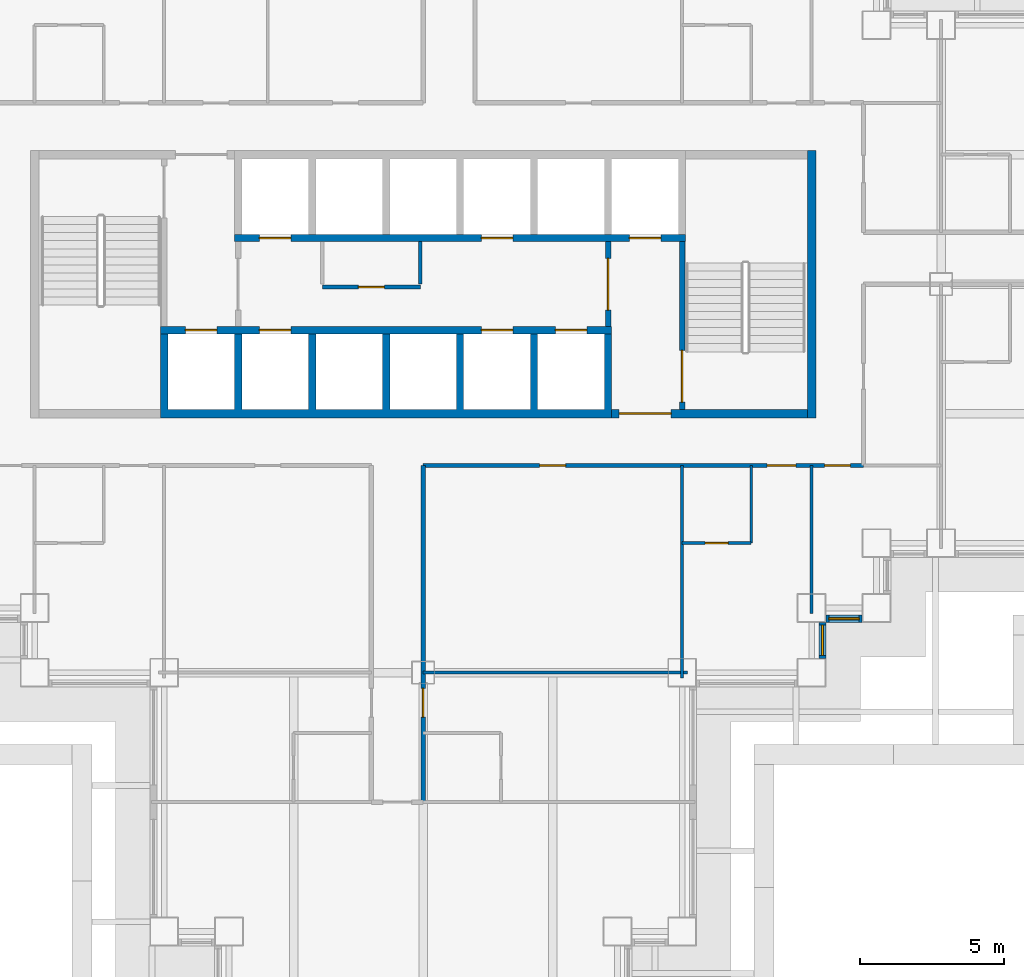
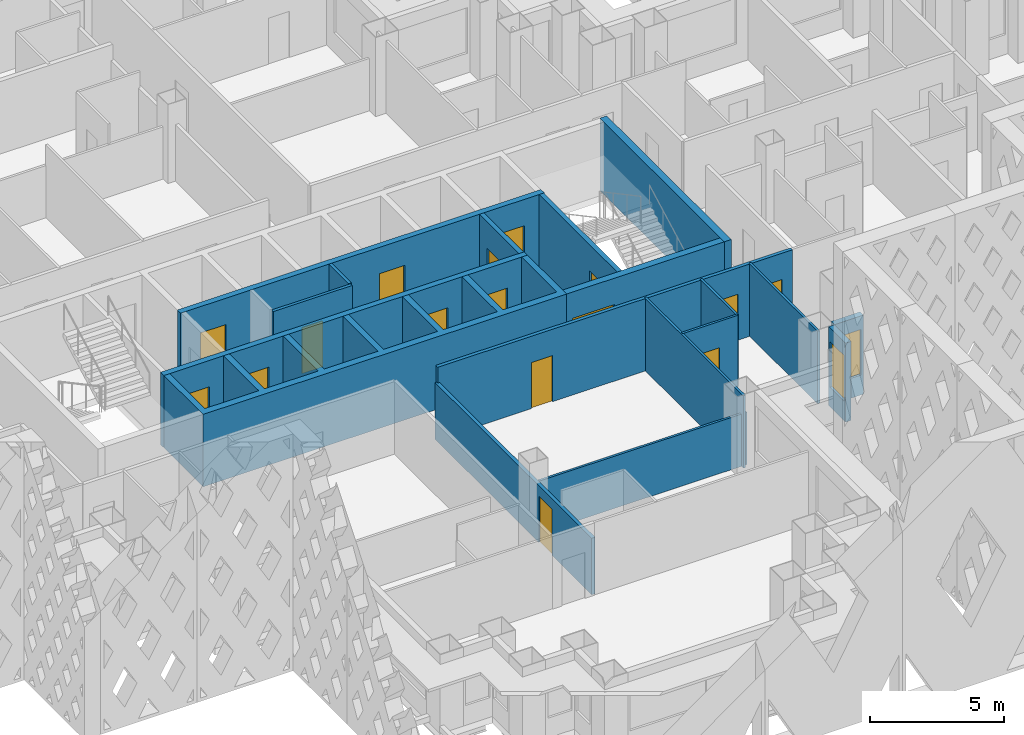
# One storey, part 5 of 19: 18 walls, 16 doors, 2 windows, 18 openings.
"""IFC4 building model written with IfcOpenShell, lengths in metres."""

from ifc_helpers import new_model, si_unit, direction, frame, frame_2d, origin, place, context, subcontext, project, spatial, polyline, rectangle, outline, extrude, material, layer, layer_set, type_object, element, fill, save


model = new_model("IFC4")

# Units and contexts
model_context = context("Model", 3, precision=1e-05, world=origin(), true_north=direction((0.0, 1.0)))
body_context = subcontext(model_context, "Body", "Model", "MODEL_VIEW")
ifc_project = project(units=[si_unit("LENGTHUNIT", "METRE"), si_unit("AREAUNIT", "SQUARE_METRE"), si_unit("VOLUMEUNIT", "CUBIC_METRE"), si_unit("PLANEANGLEUNIT", "RADIAN"), si_unit("MASSUNIT", "GRAM", prefix="KILO")], contexts=[model_context])

# Site, building, storey
site_placement = place(None, origin())
site = spatial("IfcSite", under=ifc_project, at=site_placement, CompositionType="ELEMENT")
building_placement = place(site_placement, origin())
building = spatial("IfcBuilding", under=site, at=building_placement, Name="Caravel Reach Hotel and Residences", CompositionType="ELEMENT")
storey_placement = place(building_placement, frame((0.0, 0.0, 74.39990234375)))
storey = spatial("IfcBuildingStorey", under=building, at=storey_placement, Name="L17", CompositionType="ELEMENT", Elevation=74.39990234375)

# Wall, opening, door
ifc_material_1 = material(Name="Gypsum board on steel stud", Category="steel")
ifc_layer_1 = layer(ifc_material_1, 0.10009765625)
ifc_layer_set_1 = layer_set([ifc_layer_1], Name="Bathroom pod wall 100 mm")
wall_type_1 = type_object("IfcWallType", Name="Bathroom pod wall 100 mm", PredefinedType="PARTITIONING", material=ifc_layer_set_1)
wall_1_placement = place(storey_placement, frame((40.5, 18.0, 0.0), z_axis=(0.0, 0.0, 1.0), x_axis=(1.0, 0.0, 0.0)))
wall_1 = element("IfcWall", 1, at=wall_1_placement, inside=storey, type_object=wall_type_1, Name="L17 wall w085", PredefinedType="PARTITIONING", context=body_context, shape_type="SweptSolid", body=[
    extrude(rectangle(XDim=2.39990234375, YDim=0.10009765625, at=frame_2d((1.199951171875, 0.0))), origin(), (0.0, 0.0, 1.0), 3.300048828125),
])
opening_1_placement = place(wall_1_placement, frame((0.800048828125, 0.0, 0.0)))
opening_1 = element("IfcOpeningElement", 2, at=opening_1_placement, cuts=wall_1, Name="Opening D17-055", PredefinedType="OPENING", context=body_context, shape_type="SweptSolid", body=[
    extrude(rectangle(XDim=0.800048828125, YDim=2.10009765625, at=frame_2d((0.39990234375, 1.050048828125))), frame((0.0, 0.06005859375, 0.0), z_axis=(0.0, -1.0, 0.0), x_axis=(1.0, 0.0, 0.0)), (0.0, 0.0, 1.0), 0.1201171875),
])
ifc_material_2 = material(Name="Timber and steel door leaf", Category="steel")
door_type_1 = type_object("IfcDoorType", Name="Bathroom door 800 x 2100", OperationType="SINGLE_SWING_LEFT", PredefinedType="DOOR", material=ifc_material_2)
door_1_placement = place(opening_1_placement, origin())
door_1 = element("IfcDoor", 3, at=door_1_placement, inside=storey, type_object=door_type_1, Name="door D17-055", OperationType="SINGLE_SWING_LEFT", OverallHeight=2.10009765625, OverallWidth=0.800048828125, PredefinedType="DOOR", context=body_context, shape_type="SweptSolid", body=[
    extrude(rectangle(XDim=0.800048828125, YDim=2.10009765625, at=frame_2d((0.39990234375, 1.050048828125))), frame((0.0, 0.02490234375, 0.0), z_axis=(0.0, -1.0, 0.0), x_axis=(1.0, 0.0, 0.0)), (0.0, 0.0, 1.0), 0.050048828125),
])
fill(opening_1, door_1)

# Wall
wall_2_placement = place(storey_placement, frame((42.89990234375, 18.0, 0.0), z_axis=(0.0, 0.0, 1.0), x_axis=(0.0, 1.0, 0.0)))
element("IfcWall", 4, at=wall_2_placement, inside=storey, type_object=wall_type_1, Name="L17 wall w110", PredefinedType="PARTITIONING", context=body_context, shape_type="SweptSolid", body=[
    extrude(rectangle(XDim=2.699951171875, YDim=0.10009765625, at=frame_2d((1.35009765625, 0.0))), origin(), (0.0, 0.0, 1.0), 3.300048828125),
])

# Wall, opening, door
ifc_material_3 = material(Name="Concrete C60", Category="concrete")
ifc_layer_2 = layer(ifc_material_3, 0.300048828125)
ifc_layer_set_2 = layer_set([ifc_layer_2], Name="Core wall 300 mm EI 120")
wall_type_2 = type_object("IfcWallType", Name="Core wall 300 mm EI 120", PredefinedType="SHEAR", material=ifc_layer_set_2)
wall_3_placement = place(storey_placement, frame((38.053466796875, 22.5, 0.0), z_axis=(0.0, 0.0, 1.0), x_axis=(1.0, 0.0, 0.0)))
wall_3 = element("IfcWall", 5, at=wall_3_placement, inside=storey, type_object=wall_type_2, Name="L17 core wall S2", PredefinedType="SHEAR", context=body_context, shape_type="SweptSolid", body=[
    extrude(rectangle(XDim=6.796630859375, YDim=0.300048828125, at=frame_2d((3.3984375, 0.0))), origin(), (0.0, 0.0, 1.0), 3.300048828125),
])
opening_2_placement = place(wall_3_placement, frame((0.2607421875, 0.0, 0.0)))
opening_2 = element("IfcOpeningElement", 6, at=opening_2_placement, cuts=wall_3, Name="Opening D17-014", PredefinedType="OPENING", context=body_context, shape_type="SweptSolid", body=[
    extrude(rectangle(XDim=1.800048828125, YDim=2.10009765625, at=frame_2d((0.89990234375, 1.050048828125))), frame((0.0, 0.159912109375, 0.0), z_axis=(0.0, -1.0, 0.0), x_axis=(1.0, 0.0, 0.0)), (0.0, 0.0, 1.0), 0.320068359375),
])
ifc_material_4 = material(Name="Steel fire door leaf", Category="steel")
door_type_2 = type_object("IfcDoorType", Name="Fire lobby door pair 1800 x 2100 EI 90", OperationType="DOUBLE_DOOR_SINGLE_SWING", PredefinedType="DOOR", material=ifc_material_4)
door_2_placement = place(opening_2_placement, origin())
door_2 = element("IfcDoor", 7, at=door_2_placement, inside=storey, type_object=door_type_2, Name="lobby S door pair to corridor", OperationType="DOUBLE_DOOR_SINGLE_SWING", OverallHeight=2.10009765625, OverallWidth=1.800048828125, PredefinedType="DOOR", context=body_context, shape_type="SweptSolid", body=[
    extrude(rectangle(XDim=1.800048828125, YDim=2.10009765625, at=frame_2d((0.89990234375, 1.050048828125))), frame((0.0, 0.02490234375, 0.0), z_axis=(0.0, -1.0, 0.0), x_axis=(1.0, 0.0, 0.0)), (0.0, 0.0, 1.0), 0.050048828125),
])
fill(opening_2, door_2)

# Wall
wall_4_placement = place(storey_placement, frame((45.0, 22.35009765625, 0.0), z_axis=(0.0, 0.0, 1.0), x_axis=(0.0, 1.0, 0.0)))
element("IfcWall", 8, at=wall_4_placement, inside=storey, type_object=wall_type_2, Name="L17 core wall E", PredefinedType="SHEAR", context=body_context, shape_type="SweptSolid", body=[
    extrude(rectangle(XDim=9.2998046875, YDim=0.300048828125, at=frame_2d((4.64990234375, 0.0))), origin(), (0.0, 0.0, 1.0), 3.300048828125),
])

# Wall, openings, doors
ifc_material_5 = material(Name="Gypsum board on steel stud, fire-rated", Category="steel")
ifc_layer_3 = layer(ifc_material_5, 0.14990234375)
ifc_layer_set_3 = layer_set([ifc_layer_3], Name="Corridor wall 150 mm EI 60")
wall_type_3 = type_object("IfcWallType", Name="Corridor wall 150 mm EI 60", PredefinedType="PARTITIONING", material=ifc_layer_set_3)
wall_5_placement = place(storey_placement, frame((31.5, 20.699951171875, 0.0), z_axis=(0.0, 0.0, 1.0), x_axis=(1.0, 0.0, 0.0)))
wall_5 = element("IfcWall", 9, at=wall_5_placement, inside=storey, type_object=wall_type_3, Name="L17 wall w004", PredefinedType="PARTITIONING", context=body_context, shape_type="SweptSolid", body=[
    extrude(rectangle(XDim=15.300048828125, YDim=0.14990234375, at=frame_2d((7.64990234375, 0.0))), origin(), (0.0, 0.0, 1.0), 3.300048828125),
])
opening_3_placement = place(wall_5_placement, frame((11.949951171875, 0.0, 0.0)))
opening_3 = element("IfcOpeningElement", 10, at=opening_3_placement, cuts=wall_5, Name="Opening D17-054", PredefinedType="OPENING", context=body_context, shape_type="SweptSolid", body=[
    extrude(rectangle(XDim=1.0, YDim=2.10009765625, at=frame_2d((0.5, 1.050048828125))), frame((0.0, 0.0849609375, 0.0), z_axis=(0.0, -1.0, 0.0), x_axis=(1.0, 0.0, 0.0)), (0.0, 0.0, 1.0), 0.169921875),
])
opening_4_placement = place(wall_5_placement, frame((13.949951171875, 0.0, 0.0)))
opening_4 = element("IfcOpeningElement", 11, at=opening_4_placement, cuts=wall_5, Name="Opening D17-056", PredefinedType="OPENING", context=body_context, shape_type="SweptSolid", body=[
    extrude(rectangle(XDim=0.89990234375, YDim=2.10009765625, at=frame_2d((0.449951171875, 1.050048828125))), frame((0.0, 0.0849609375, 0.0), z_axis=(0.0, -1.0, 0.0), x_axis=(1.0, 0.0, 0.0)), (0.0, 0.0, 1.0), 0.169921875),
])
opening_5_placement = place(wall_5_placement, frame((4.050048828125, 0.0, 0.0)))
opening_5 = element("IfcOpeningElement", 12, at=opening_5_placement, cuts=wall_5, Name="Opening D17-061", PredefinedType="OPENING", context=body_context, shape_type="SweptSolid", body=[
    extrude(rectangle(XDim=0.89990234375, YDim=2.10009765625, at=frame_2d((0.449951171875, 1.050048828125))), frame((0.0, 0.0849609375, 0.0), z_axis=(0.0, -1.0, 0.0), x_axis=(1.0, 0.0, 0.0)), (0.0, 0.0, 1.0), 0.169921875),
])
ifc_material_6 = material(Name="Timber and steel door leaf", Category="steel")
door_type_3 = type_object("IfcDoorType", Name="Door 900 x 2100 timber", OperationType="SINGLE_SWING_LEFT", PredefinedType="DOOR", material=ifc_material_6)
door_3_placement = place(opening_4_placement, origin())
door_3 = element("IfcDoor", 13, at=door_3_placement, inside=storey, type_object=door_type_3, Name="door D17-056", OperationType="SINGLE_SWING_RIGHT", OverallHeight=2.10009765625, OverallWidth=0.89990234375, PredefinedType="DOOR", context=body_context, shape_type="SweptSolid", body=[
    extrude(rectangle(XDim=0.89990234375, YDim=2.10009765625, at=frame_2d((0.449951171875, 1.050048828125))), frame((0.0, 0.02490234375, 0.0), z_axis=(0.0, -1.0, 0.0), x_axis=(1.0, 0.0, 0.0)), (0.0, 0.0, 1.0), 0.050048828125),
])
fill(opening_4, door_3)
door_4_placement = place(opening_5_placement, origin())
door_4 = element("IfcDoor", 14, at=door_4_placement, inside=storey, type_object=door_type_3, Name="door D17-061", OperationType="SINGLE_SWING_RIGHT", OverallHeight=2.10009765625, OverallWidth=0.89990234375, PredefinedType="DOOR", context=body_context, shape_type="SweptSolid", body=[
    extrude(rectangle(XDim=0.89990234375, YDim=2.10009765625, at=frame_2d((0.449951171875, 1.050048828125))), frame((0.0, 0.02490234375, 0.0), z_axis=(0.0, -1.0, 0.0), x_axis=(1.0, 0.0, 0.0)), (0.0, 0.0, 1.0), 0.050048828125),
])
fill(opening_5, door_4)
ifc_material_7 = material(Name="Steel fire door leaf", Category="steel")
door_type_4 = type_object("IfcDoorType", Name="Guest room door 1000 x 2100 EI 30", OperationType="SINGLE_SWING_LEFT", PredefinedType="DOOR", material=ifc_material_7)
door_5_placement = place(opening_3_placement, origin())
door_5 = element("IfcDoor", 15, at=door_5_placement, inside=storey, type_object=door_type_4, Name="door D17-054", OperationType="SINGLE_SWING_RIGHT", OverallHeight=2.10009765625, OverallWidth=1.0, PredefinedType="DOOR", context=body_context, shape_type="SweptSolid", body=[
    extrude(rectangle(XDim=1.0, YDim=2.10009765625, at=frame_2d((0.5, 1.050048828125))), frame((0.0, 0.02490234375, 0.0), z_axis=(0.0, -1.0, 0.0), x_axis=(1.0, 0.0, 0.0)), (0.0, 0.0, 1.0), 0.050048828125),
])
fill(opening_3, door_5)

# Wall, opening, door
wall_6_placement = place(storey_placement, frame((31.5, 9.0, 0.0), z_axis=(0.0, 0.0, 1.0), x_axis=(0.0, 1.0, 0.0)))
wall_6 = element("IfcWall", 16, at=wall_6_placement, inside=storey, type_object=wall_type_3, Name="L17 wall w033", PredefinedType="PARTITIONING", context=body_context, shape_type="SweptSolid", body=[
    extrude(rectangle(XDim=11.699951171875, YDim=0.14990234375, at=frame_2d((5.85009765625, 0.0))), origin(), (0.0, 0.0, 1.0), 2.580078125),
])
opening_6_placement = place(wall_6_placement, frame((2.949951171875, 0.0, 0.0)))
opening_6 = element("IfcOpeningElement", 17, at=opening_6_placement, cuts=wall_6, Name="Opening D17-039", PredefinedType="OPENING", context=body_context, shape_type="SweptSolid", body=[
    extrude(rectangle(XDim=1.0, YDim=2.10009765625, at=frame_2d((0.5, 1.050048828125))), frame((0.0, 0.0849609375, 0.0), z_axis=(0.0, -1.0, 0.0), x_axis=(1.0, 0.0, 0.0)), (0.0, 0.0, 1.0), 0.169921875),
])
door_6_placement = place(opening_6_placement, origin())
door_6 = element("IfcDoor", 18, at=door_6_placement, inside=storey, type_object=door_type_4, Name="door D17-039", OperationType="SINGLE_SWING_RIGHT", OverallHeight=2.10009765625, OverallWidth=1.0, PredefinedType="DOOR", context=body_context, shape_type="SweptSolid", body=[
    extrude(rectangle(XDim=1.0, YDim=2.10009765625, at=frame_2d((0.5, 1.050048828125))), frame((0.0, 0.02490234375, 0.0), z_axis=(0.0, -1.0, 0.0), x_axis=(1.0, 0.0, 0.0)), (0.0, 0.0, 1.0), 0.050048828125),
])
fill(opening_6, door_6)

# Wall, opening, window
ifc_material_8 = material(Name="Insulated rainscreen wall, aluminium cladding", Category="aluminium")
ifc_layer_4 = layer(ifc_material_8, 0.25)
ifc_layer_set_4 = layer_set([ifc_layer_4], Name="EW1 Tower rainscreen wall")
wall_type_4 = type_object("IfcWallType", Name="EW1 Tower rainscreen wall", PredefinedType="SOLIDWALL", material=ifc_layer_set_4)
wall_7_placement = place(storey_placement, frame((45.375, 14.0, 0.0), z_axis=(0.0, 0.0, 1.0), x_axis=(0.0, 1.0, 0.0)))
wall_7 = element("IfcWall", 19, at=wall_7_placement, inside=storey, type_object=wall_type_4, Name="External wall L17 E12.1", PredefinedType="SOLIDWALL", context=body_context, shape_type="SweptSolid", body=[
    extrude(rectangle(XDim=1.25, YDim=0.25, at=frame_2d((0.625, 0.0))), origin(), (0.0, 0.0, 1.0), 3.60009765625),
])
opening_7_placement = place(wall_7_placement, frame((0.10009765625, 0.0, 0.89990234375)))
opening_7 = element("IfcOpeningElement", 20, at=opening_7_placement, cuts=wall_7, Name="Opening WN3", PredefinedType="OPENING", context=body_context, shape_type="SweptSolid", body=[
    extrude(rectangle(XDim=1.050048828125, YDim=2.080078125, at=frame_2d((0.52490234375, 1.0400390625))), frame((0.0, 0.135009765625, 0.0), z_axis=(0.0, -1.0, 0.0), x_axis=(1.0, 0.0, 0.0)), (0.0, 0.0, 1.0), 0.27001953125),
])
ifc_material_9 = material(Name="Dark low-e glazing in black aluminium frame", Category="aluminium")
window_type = type_object("IfcWindowType", Name="Hotel suite corner window 1050 x 2080", PartitioningType="SINGLE_PANEL", PredefinedType="WINDOW", material=ifc_material_9)
window_1_placement = place(opening_7_placement, origin())
window_1 = element("IfcWindow", 21, at=window_1_placement, inside=storey, type_object=window_type, Name="Window L17 E12.1.1", OverallHeight=2.080078125, OverallWidth=1.050048828125, PartitioningType="SINGLE_PANEL", PredefinedType="WINDOW", context=body_context, shape_type="SweptSolid", body=[
    extrude(rectangle(XDim=1.050048828125, YDim=2.080078125, at=frame_2d((0.52490234375, 1.0400390625))), frame((0.0, 0.030029296875, 0.0), z_axis=(0.0, -1.0, 0.0), x_axis=(1.0, 0.0, 0.0)), (0.0, 0.0, 1.0), 0.06005859375),
])
fill(opening_7, window_1)

wall_8_placement = place(storey_placement, frame((45.5, 15.375, 0.0), z_axis=(0.0, 0.0, 1.0), x_axis=(1.0, 0.0, 0.0)))
wall_8 = element("IfcWall", 22, at=wall_8_placement, inside=storey, type_object=wall_type_4, Name="External wall L17 S13.1", PredefinedType="SOLIDWALL", context=body_context, shape_type="SweptSolid", body=[
    extrude(rectangle(XDim=1.25, YDim=0.25, at=frame_2d((0.625, 0.0))), origin(), (0.0, 0.0, 1.0), 3.60009765625),
])
opening_8_placement = place(wall_8_placement, frame((0.10009765625, 0.0, 0.89990234375)))
opening_8 = element("IfcOpeningElement", 23, at=opening_8_placement, cuts=wall_8, Name="Opening WN3", PredefinedType="OPENING", context=body_context, shape_type="SweptSolid", body=[
    extrude(rectangle(XDim=1.050048828125, YDim=2.080078125, at=frame_2d((0.52490234375, 1.0400390625))), frame((0.0, 0.135009765625, 0.0), z_axis=(0.0, -1.0, 0.0), x_axis=(1.0, 0.0, 0.0)), (0.0, 0.0, 1.0), 0.27001953125),
])
window_2_placement = place(opening_8_placement, origin())
window_2 = element("IfcWindow", 24, at=window_2_placement, inside=storey, type_object=window_type, Name="Window L17 S13.1.1", OverallHeight=2.080078125, OverallWidth=1.050048828125, PartitioningType="SINGLE_PANEL", PredefinedType="WINDOW", context=body_context, shape_type="SweptSolid", body=[
    extrude(rectangle(XDim=1.050048828125, YDim=2.080078125, at=frame_2d((0.52490234375, 1.0400390625))), frame((0.0, 0.030029296875, 0.0), z_axis=(0.0, -1.0, 0.0), x_axis=(1.0, 0.0, 0.0)), (0.0, 0.0, 1.0), 0.06005859375),
])
fill(opening_8, window_2)

# Wall, opening, door
ifc_material_10 = material(Name="Autoclaved aerated block wall")
ifc_layer_5 = layer(ifc_material_10, 0.199951171875)
ifc_layer_set_5 = layer_set([ifc_layer_5], Name="Fire lobby wall 200 mm EI 120")
wall_type_5 = type_object("IfcWallType", Name="Fire lobby wall 200 mm EI 120", PredefinedType="PARTITIONING", material=ifc_layer_set_5)
wall_9_placement = place(storey_placement, frame((37.928466796875, 25.52490234375, 0.0), z_axis=(0.0, 0.0, 1.0), x_axis=(0.0, 1.0, 0.0)))
wall_9 = element("IfcWall", 25, at=wall_9_placement, inside=storey, type_object=wall_type_5, Name="L17 lobby E wall", PredefinedType="PARTITIONING", context=body_context, shape_type="SweptSolid", body=[
    extrude(rectangle(XDim=2.9501953125, YDim=0.199951171875, at=frame_2d((1.47509765625, 0.0))), origin(), (0.0, 0.0, 1.0), 3.300048828125),
])
opening_9_placement = place(wall_9_placement, frame((0.574951171875, 0.0, 0.0)))
opening_9 = element("IfcOpeningElement", 26, at=opening_9_placement, cuts=wall_9, Name="Opening D17-012", PredefinedType="OPENING", context=body_context, shape_type="SweptSolid", body=[
    extrude(rectangle(XDim=1.800048828125, YDim=2.10009765625, at=frame_2d((0.89990234375, 1.050048828125))), frame((0.0, 0.10986328125, 0.0), z_axis=(0.0, -1.0, 0.0), x_axis=(1.0, 0.0, 0.0)), (0.0, 0.0, 1.0), 0.219970703125),
])
door_7_placement = place(opening_9_placement, origin())
door_7 = element("IfcDoor", 27, at=door_7_placement, inside=storey, type_object=door_type_2, Name="lobby E door pair", OperationType="DOUBLE_DOOR_SINGLE_SWING", OverallHeight=2.10009765625, OverallWidth=1.800048828125, PredefinedType="DOOR", context=body_context, shape_type="SweptSolid", body=[
    extrude(rectangle(XDim=1.800048828125, YDim=2.10009765625, at=frame_2d((0.89990234375, 1.050048828125))), frame((0.0, 0.02490234375, 0.0), z_axis=(0.0, -1.0, 0.0), x_axis=(1.0, 0.0, 0.0)), (0.0, 0.0, 1.0), 0.050048828125),
])
fill(opening_9, door_7)

# Walls
ifc_material_11 = material(Name="Gypsum board on steel stud", Category="steel")
ifc_layer_6 = layer(ifc_material_11, 0.10009765625)
ifc_layer_set_6 = layer_set([ifc_layer_6], Name="Partition 100 mm")
wall_type_6 = type_object("IfcWallType", Name="Partition 100 mm", PredefinedType="PARTITIONING", material=ifc_layer_set_6)
wall_10_placement = place(storey_placement, frame((31.5, 13.5, 0.0), z_axis=(0.0, 0.0, 1.0), x_axis=(1.0, 0.0, 0.0)))
element("IfcWall", 28, at=wall_10_placement, inside=storey, type_object=wall_type_6, Name="L17 wall w043", PredefinedType="PARTITIONING", context=body_context, shape_type="SweptSolid", body=[
    extrude(rectangle(XDim=9.18994140625, YDim=0.10009765625, at=frame_2d((4.594970703125, 0.0))), origin(), (0.0, 0.0, 1.0), 2.380126953125),
])
wall_11_placement = place(storey_placement, frame((40.5, 13.31005859375, 0.0), z_axis=(0.0, 0.0, 1.0), x_axis=(0.0, 1.0, 0.0)))
element("IfcWall", 29, at=wall_11_placement, inside=storey, type_object=wall_type_6, Name="L17 wall w067", PredefinedType="PARTITIONING", context=body_context, shape_type="SweptSolid", body=[
    extrude(rectangle(XDim=7.389892578125, YDim=0.10009765625, at=frame_2d((3.69482421875, 0.0))), origin(), (0.0, 0.0, 1.0), 3.300048828125),
])
wall_12_placement = place(storey_placement, frame((45.0, 15.56005859375, 0.0), z_axis=(0.0, 0.0, 1.0), x_axis=(0.0, 1.0, 0.0)))
element("IfcWall", 30, at=wall_12_placement, inside=storey, type_object=wall_type_6, Name="L17 wall w069", PredefinedType="PARTITIONING", context=body_context, shape_type="SweptSolid", body=[
    extrude(rectangle(XDim=5.139892578125, YDim=0.10009765625, at=frame_2d((2.56982421875, 0.0))), origin(), (0.0, 0.0, 1.0), 3.300048828125),
])

# Wall, opening, door
ifc_material_12 = material(Name="Autoclaved aerated block wall")
ifc_layer_7 = layer(ifc_material_12, 0.125)
ifc_layer_set_7 = layer_set([ifc_layer_7], Name="Riser wall 125 mm EI 60")
wall_type_7 = type_object("IfcWallType", Name="Riser wall 125 mm EI 60", PredefinedType="PARTITIONING", material=ifc_layer_set_7)
wall_13_placement = place(storey_placement, frame((28.0, 26.89990234375, 0.0), z_axis=(0.0, 0.0, 1.0), x_axis=(1.0, 0.0, 0.0)))
wall_13 = element("IfcWall", 31, at=wall_13_placement, inside=storey, type_object=wall_type_7, Name="L17 service room wall N1", PredefinedType="PARTITIONING", context=body_context, shape_type="SweptSolid", body=[
    extrude(rectangle(XDim=3.39990234375, YDim=0.125, at=frame_2d((1.699951171875, 0.0))), origin(), (0.0, 0.0, 1.0), 3.300048828125),
])
opening_10_placement = place(wall_13_placement, frame((1.25, 0.0, 0.0)))
opening_10 = element("IfcOpeningElement", 32, at=opening_10_placement, cuts=wall_13, Name="Opening D17-008", PredefinedType="OPENING", context=body_context, shape_type="SweptSolid", body=[
    extrude(rectangle(XDim=0.89990234375, YDim=2.10009765625, at=frame_2d((0.449951171875, 1.050048828125))), frame((0.0, 0.072509765625, 0.0), z_axis=(0.0, -1.0, 0.0), x_axis=(1.0, 0.0, 0.0)), (0.0, 0.0, 1.0), 0.14501953125),
])
ifc_material_13 = material(Name="Steel fire door leaf", Category="steel")
door_type_5 = type_object("IfcDoorType", Name="Riser door 900 x 2100 EI 60", OperationType="SINGLE_SWING_LEFT", PredefinedType="DOOR", material=ifc_material_13)
door_8_placement = place(opening_10_placement, origin())
door_8 = element("IfcDoor", 33, at=door_8_placement, inside=storey, type_object=door_type_5, Name="Housekeeping store door", OperationType="SINGLE_SWING_LEFT", OverallHeight=2.10009765625, OverallWidth=0.89990234375, PredefinedType="DOOR", context=body_context, shape_type="SweptSolid", body=[
    extrude(rectangle(XDim=0.89990234375, YDim=2.10009765625, at=frame_2d((0.449951171875, 1.050048828125))), frame((0.0, 0.02490234375, 0.0), z_axis=(0.0, -1.0, 0.0), x_axis=(1.0, 0.0, 0.0)), (0.0, 0.0, 1.0), 0.050048828125),
])
fill(opening_10, door_8)

# Walls
wall_14_placement = place(storey_placement, frame((31.39990234375, 28.47509765625, 0.0), z_axis=(0.0, 0.0, 1.0), x_axis=(0.0, -1.0, 0.0)))
element("IfcWall", 34, at=wall_14_placement, inside=storey, type_object=wall_type_7, Name="L17 service room partition N1", PredefinedType="PARTITIONING", context=body_context, shape_type="SweptSolid", body=[
    extrude(rectangle(XDim=1.47509765625, YDim=0.125, at=frame_2d((0.737548828125, 0.0))), origin(), (0.0, 0.0, 1.0), 3.300048828125),
])
ifc_material_14 = material(Name="Concrete C60", Category="concrete")
ifc_layer_8 = layer(ifc_material_14, 0.25)
ifc_layer_set_8 = layer_set([ifc_layer_8], Name="Shaft wall 250 mm EI 120")
wall_type_8 = type_object("IfcWallType", Name="Shaft wall 250 mm EI 120", PredefinedType="SHEAR", material=ifc_layer_set_8)
wall_15_placement = place(storey_placement, origin())
element("IfcWall", 35, at=wall_15_placement, inside=storey, type_object=wall_type_8, Name="L17 lift shaft wall S1", PredefinedType="SHEAR", context=body_context, shape_type="SweptSolid", body=[
    extrude(outline(polyline([(22.375, 22.35009765625), (38.053466796875, 22.35009765625), (38.053466796875, 25.27490234375), (37.803466796875, 25.27490234375), (37.803466796875, 22.64990234375), (35.482177734375, 22.64990234375), (35.482177734375, 25.27490234375), (35.232177734375, 25.27490234375), (35.232177734375, 22.64990234375), (32.91064453125, 22.64990234375), (32.91064453125, 25.27490234375), (32.66064453125, 25.27490234375), (32.66064453125, 22.64990234375), (30.33935546875, 22.64990234375), (30.33935546875, 25.27490234375), (30.08935546875, 25.27490234375), (30.08935546875, 22.64990234375), (27.767822265625, 22.64990234375), (27.767822265625, 25.27490234375), (27.517822265625, 25.27490234375), (27.517822265625, 22.64990234375), (25.196533203125, 22.64990234375), (25.196533203125, 25.27490234375), (24.946533203125, 25.27490234375), (24.946533203125, 22.64990234375), (22.625, 22.64990234375), (22.625, 25.27490234375), (22.375, 25.27490234375), (22.375, 22.35009765625)])), origin(), (0.0, 0.0, 1.0), 3.300048828125),
])

# Wall, openings, doors
wall_16_placement = place(storey_placement, frame((22.375, 25.39990234375, 0.0), z_axis=(0.0, 0.0, 1.0), x_axis=(1.0, 0.0, 0.0)))
wall_16 = element("IfcWall", 36, at=wall_16_placement, inside=storey, type_object=wall_type_8, Name="L17 lobby wall S1", PredefinedType="SHEAR", context=body_context, shape_type="SweptSolid", body=[
    extrude(rectangle(XDim=15.678466796875, YDim=0.25, at=frame_2d((7.83935546875, 0.0))), origin(), (0.0, 0.0, 1.0), 3.300048828125),
])
opening_11_placement = place(wall_16_placement, frame((3.43212890625, 0.0, 0.0)))
opening_11 = element("IfcOpeningElement", 37, at=opening_11_placement, cuts=wall_16, Name="Opening D17-001", PredefinedType="OPENING", context=body_context, shape_type="SweptSolid", body=[
    extrude(rectangle(XDim=1.10009765625, YDim=2.10009765625, at=frame_2d((0.550048828125, 1.050048828125))), frame((0.0, 0.135009765625, 0.0), z_axis=(0.0, -1.0, 0.0), x_axis=(1.0, 0.0, 0.0)), (0.0, 0.0, 1.0), 0.27001953125),
])
opening_12_placement = place(wall_16_placement, frame((11.146484375, 0.0, 0.0)))
opening_12 = element("IfcOpeningElement", 38, at=opening_12_placement, cuts=wall_16, Name="Opening D17-002", PredefinedType="OPENING", context=body_context, shape_type="SweptSolid", body=[
    extrude(rectangle(XDim=1.10009765625, YDim=2.10009765625, at=frame_2d((0.550048828125, 1.050048828125))), frame((0.0, 0.135009765625, 0.0), z_axis=(0.0, -1.0, 0.0), x_axis=(1.0, 0.0, 0.0)), (0.0, 0.0, 1.0), 0.27001953125),
])
opening_13_placement = place(wall_16_placement, frame((13.718017578125, 0.0, 0.0)))
opening_13 = element("IfcOpeningElement", 39, at=opening_13_placement, cuts=wall_16, Name="Opening D17-003", PredefinedType="OPENING", context=body_context, shape_type="SweptSolid", body=[
    extrude(rectangle(XDim=1.10009765625, YDim=2.10009765625, at=frame_2d((0.550048828125, 1.050048828125))), frame((0.0, 0.135009765625, 0.0), z_axis=(0.0, -1.0, 0.0), x_axis=(1.0, 0.0, 0.0)), (0.0, 0.0, 1.0), 0.27001953125),
])
opening_14_placement = place(wall_16_placement, frame((0.860595703125, 0.0, 0.0)))
opening_14 = element("IfcOpeningElement", 40, at=opening_14_placement, cuts=wall_16, Name="Opening D17-006", PredefinedType="OPENING", context=body_context, shape_type="SweptSolid", body=[
    extrude(rectangle(XDim=1.10009765625, YDim=2.10009765625, at=frame_2d((0.550048828125, 1.050048828125))), frame((0.0, 0.135009765625, 0.0), z_axis=(0.0, -1.0, 0.0), x_axis=(1.0, 0.0, 0.0)), (0.0, 0.0, 1.0), 0.27001953125),
])
ifc_material_15 = material(Name="Stainless steel landing door", Category="steel")
door_type_6 = type_object("IfcDoorType", Name="Landing door LD 1100 x 2100 sliding", OperationType="DOUBLE_DOOR_SLIDING", PredefinedType="DOOR", material=ifc_material_15)
door_9_placement = place(opening_11_placement, origin())
door_9 = element("IfcDoor", 41, at=door_9_placement, inside=storey, type_object=door_type_6, Name="LP1 landing door", OperationType="DOUBLE_DOOR_SLIDING", OverallHeight=2.10009765625, OverallWidth=1.10009765625, PredefinedType="DOOR", context=body_context, shape_type="SweptSolid", body=[
    extrude(rectangle(XDim=1.10009765625, YDim=2.10009765625, at=frame_2d((0.550048828125, 1.050048828125))), frame((0.0, 0.02490234375, 0.0), z_axis=(0.0, -1.0, 0.0), x_axis=(1.0, 0.0, 0.0)), (0.0, 0.0, 1.0), 0.050048828125),
])
fill(opening_11, door_9)
door_10_placement = place(opening_12_placement, origin())
door_10 = element("IfcDoor", 42, at=door_10_placement, inside=storey, type_object=door_type_6, Name="LP2 landing door", OperationType="DOUBLE_DOOR_SLIDING", OverallHeight=2.10009765625, OverallWidth=1.10009765625, PredefinedType="DOOR", context=body_context, shape_type="SweptSolid", body=[
    extrude(rectangle(XDim=1.10009765625, YDim=2.10009765625, at=frame_2d((0.550048828125, 1.050048828125))), frame((0.0, 0.02490234375, 0.0), z_axis=(0.0, -1.0, 0.0), x_axis=(1.0, 0.0, 0.0)), (0.0, 0.0, 1.0), 0.050048828125),
])
fill(opening_12, door_10)
door_11_placement = place(opening_13_placement, origin())
door_11 = element("IfcDoor", 43, at=door_11_placement, inside=storey, type_object=door_type_6, Name="LP3 landing door", OperationType="DOUBLE_DOOR_SLIDING", OverallHeight=2.10009765625, OverallWidth=1.10009765625, PredefinedType="DOOR", context=body_context, shape_type="SweptSolid", body=[
    extrude(rectangle(XDim=1.10009765625, YDim=2.10009765625, at=frame_2d((0.550048828125, 1.050048828125))), frame((0.0, 0.02490234375, 0.0), z_axis=(0.0, -1.0, 0.0), x_axis=(1.0, 0.0, 0.0)), (0.0, 0.0, 1.0), 0.050048828125),
])
fill(opening_13, door_11)
door_12_placement = place(opening_14_placement, origin())
door_12 = element("IfcDoor", 44, at=door_12_placement, inside=storey, type_object=door_type_6, Name="FL1 landing door", OperationType="DOUBLE_DOOR_SLIDING", OverallHeight=2.10009765625, OverallWidth=1.10009765625, PredefinedType="DOOR", context=body_context, shape_type="SweptSolid", body=[
    extrude(rectangle(XDim=1.10009765625, YDim=2.10009765625, at=frame_2d((0.550048828125, 1.050048828125))), frame((0.0, 0.02490234375, 0.0), z_axis=(0.0, -1.0, 0.0), x_axis=(1.0, 0.0, 0.0)), (0.0, 0.0, 1.0), 0.050048828125),
])
fill(opening_14, door_12)

wall_17_placement = place(storey_placement, frame((24.946533203125, 28.60009765625, 0.0), z_axis=(0.0, 0.0, 1.0), x_axis=(1.0, 0.0, 0.0)))
wall_17 = element("IfcWall", 45, at=wall_17_placement, inside=storey, type_object=wall_type_8, Name="L17 lobby wall N1", PredefinedType="SHEAR", context=body_context, shape_type="SweptSolid", body=[
    extrude(rectangle(XDim=15.678466796875, YDim=0.25, at=frame_2d((7.83935546875, 0.0))), origin(), (0.0, 0.0, 1.0), 3.300048828125),
])
opening_15_placement = place(wall_17_placement, frame((0.860595703125, 0.0, 0.0)))
opening_15 = element("IfcOpeningElement", 46, at=opening_15_placement, cuts=wall_17, Name="Opening D17-004", PredefinedType="OPENING", context=body_context, shape_type="SweptSolid", body=[
    extrude(rectangle(XDim=1.10009765625, YDim=2.10009765625, at=frame_2d((0.550048828125, 1.050048828125))), frame((0.0, 0.135009765625, 0.0), z_axis=(0.0, -1.0, 0.0), x_axis=(1.0, 0.0, 0.0)), (0.0, 0.0, 1.0), 0.27001953125),
])
opening_16_placement = place(wall_17_placement, frame((8.574951171875, 0.0, 0.0)))
opening_16 = element("IfcOpeningElement", 47, at=opening_16_placement, cuts=wall_17, Name="Opening D17-005", PredefinedType="OPENING", context=body_context, shape_type="SweptSolid", body=[
    extrude(rectangle(XDim=1.10009765625, YDim=2.10009765625, at=frame_2d((0.550048828125, 1.050048828125))), frame((0.0, 0.135009765625, 0.0), z_axis=(0.0, -1.0, 0.0), x_axis=(1.0, 0.0, 0.0)), (0.0, 0.0, 1.0), 0.27001953125),
])
opening_17_placement = place(wall_17_placement, frame((13.718017578125, 0.0, 0.0)))
opening_17 = element("IfcOpeningElement", 48, at=opening_17_placement, cuts=wall_17, Name="Opening D17-007", PredefinedType="OPENING", context=body_context, shape_type="SweptSolid", body=[
    extrude(rectangle(XDim=1.10009765625, YDim=2.10009765625, at=frame_2d((0.550048828125, 1.050048828125))), frame((0.0, 0.135009765625, 0.0), z_axis=(0.0, -1.0, 0.0), x_axis=(1.0, 0.0, 0.0)), (0.0, 0.0, 1.0), 0.27001953125),
])
door_13_placement = place(opening_15_placement, origin())
door_13 = element("IfcDoor", 49, at=door_13_placement, inside=storey, type_object=door_type_6, Name="LP4 landing door", OperationType="DOUBLE_DOOR_SLIDING", OverallHeight=2.10009765625, OverallWidth=1.10009765625, PredefinedType="DOOR", context=body_context, shape_type="SweptSolid", body=[
    extrude(rectangle(XDim=1.10009765625, YDim=2.10009765625, at=frame_2d((0.550048828125, 1.050048828125))), frame((0.0, 0.02490234375, 0.0), z_axis=(0.0, -1.0, 0.0), x_axis=(1.0, 0.0, 0.0)), (0.0, 0.0, 1.0), 0.050048828125),
])
fill(opening_15, door_13)
door_14_placement = place(opening_16_placement, origin())
door_14 = element("IfcDoor", 50, at=door_14_placement, inside=storey, type_object=door_type_6, Name="LP5 landing door", OperationType="DOUBLE_DOOR_SLIDING", OverallHeight=2.10009765625, OverallWidth=1.10009765625, PredefinedType="DOOR", context=body_context, shape_type="SweptSolid", body=[
    extrude(rectangle(XDim=1.10009765625, YDim=2.10009765625, at=frame_2d((0.550048828125, 1.050048828125))), frame((0.0, 0.02490234375, 0.0), z_axis=(0.0, -1.0, 0.0), x_axis=(1.0, 0.0, 0.0)), (0.0, 0.0, 1.0), 0.050048828125),
])
fill(opening_16, door_14)
door_15_placement = place(opening_17_placement, origin())
door_15 = element("IfcDoor", 51, at=door_15_placement, inside=storey, type_object=door_type_6, Name="FL2 landing door", OperationType="DOUBLE_DOOR_SLIDING", OverallHeight=2.10009765625, OverallWidth=1.10009765625, PredefinedType="DOOR", context=body_context, shape_type="SweptSolid", body=[
    extrude(rectangle(XDim=1.10009765625, YDim=2.10009765625, at=frame_2d((0.550048828125, 1.050048828125))), frame((0.0, 0.02490234375, 0.0), z_axis=(0.0, -1.0, 0.0), x_axis=(1.0, 0.0, 0.0)), (0.0, 0.0, 1.0), 0.050048828125),
])
fill(opening_17, door_15)

# Wall, opening, door
ifc_material_16 = material(Name="Concrete C60", Category="concrete")
ifc_layer_9 = layer(ifc_material_16, 0.199951171875)
ifc_layer_set_9 = layer_set([ifc_layer_9], Name="Stair enclosure wall 200 mm EI 120")
wall_type_9 = type_object("IfcWallType", Name="Stair enclosure wall 200 mm EI 120", PredefinedType="SHEAR", material=ifc_layer_set_9)
wall_18_placement = place(storey_placement, frame((40.5, 22.64990234375, 0.0), z_axis=(0.0, 0.0, 1.0), x_axis=(0.0, 1.0, 0.0)))
wall_18 = element("IfcWall", 52, at=wall_18_placement, inside=storey, type_object=wall_type_9, Name="L17 stair B wall", PredefinedType="SHEAR", context=body_context, shape_type="SweptSolid", body=[
    extrude(rectangle(XDim=5.8251953125, YDim=0.199951171875, at=frame_2d((2.91259765625, 0.0))), origin(), (0.0, 0.0, 1.0), 3.300048828125),
])
opening_18_placement = place(wall_18_placement, frame((0.25, 0.0, 0.0)))
opening_18 = element("IfcOpeningElement", 53, at=opening_18_placement, cuts=wall_18, Name="Opening D17-010", PredefinedType="OPENING", context=body_context, shape_type="SweptSolid", body=[
    extrude(rectangle(XDim=1.800048828125, YDim=2.10009765625, at=frame_2d((0.89990234375, 1.050048828125))), frame((0.0, 0.10986328125, 0.0), z_axis=(0.0, -1.0, 0.0), x_axis=(1.0, 0.0, 0.0)), (0.0, 0.0, 1.0), 0.219970703125),
])
ifc_material_17 = material(Name="Steel fire door leaf", Category="steel")
door_type_7 = type_object("IfcDoorType", Name="Stair door pair 1800 x 2100 EI 90", OperationType="DOUBLE_DOOR_SINGLE_SWING", PredefinedType="DOOR", material=ifc_material_17)
door_16_placement = place(opening_18_placement, origin())
door_16 = element("IfcDoor", 54, at=door_16_placement, inside=storey, type_object=door_type_7, Name="stair B door pair", OperationType="DOUBLE_DOOR_SINGLE_SWING", OverallHeight=2.10009765625, OverallWidth=1.800048828125, PredefinedType="DOOR", context=body_context, shape_type="SweptSolid", body=[
    extrude(rectangle(XDim=1.800048828125, YDim=2.10009765625, at=frame_2d((0.89990234375, 1.050048828125))), frame((0.0, 0.02490234375, 0.0), z_axis=(0.0, -1.0, 0.0), x_axis=(1.0, 0.0, 0.0)), (0.0, 0.0, 1.0), 0.050048828125),
])
fill(opening_18, door_16)

save(model, "model.ifc")
